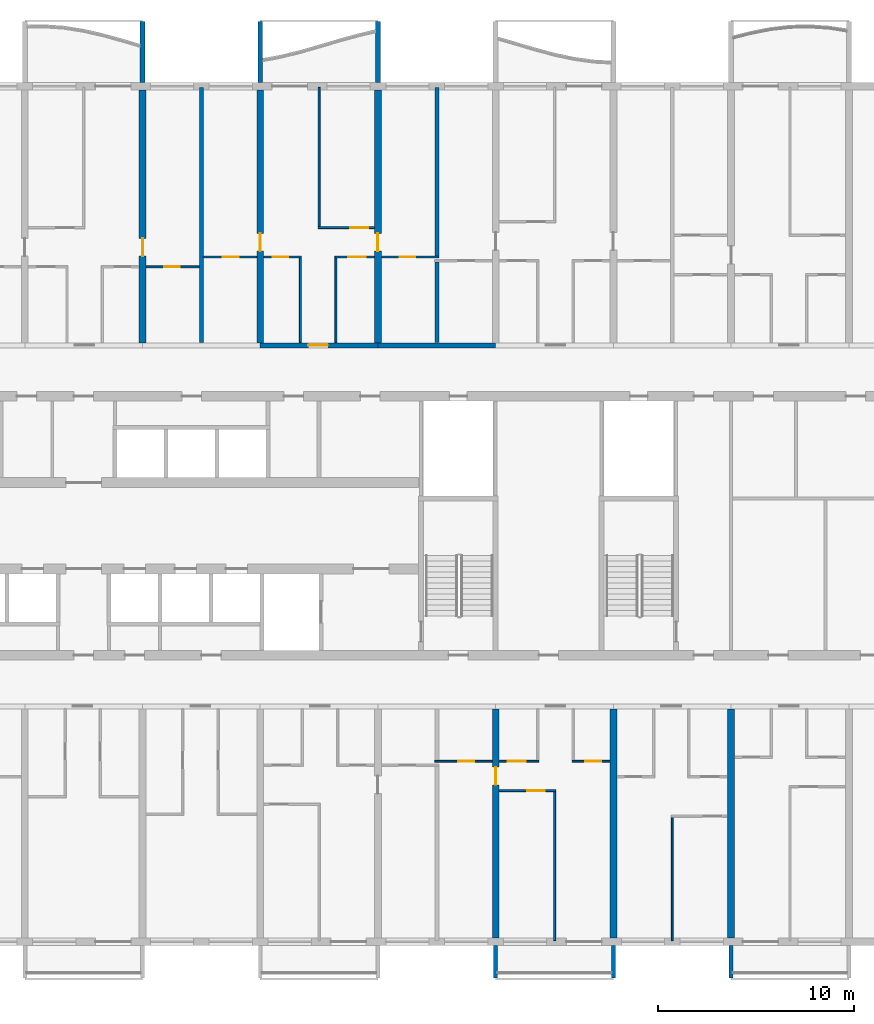
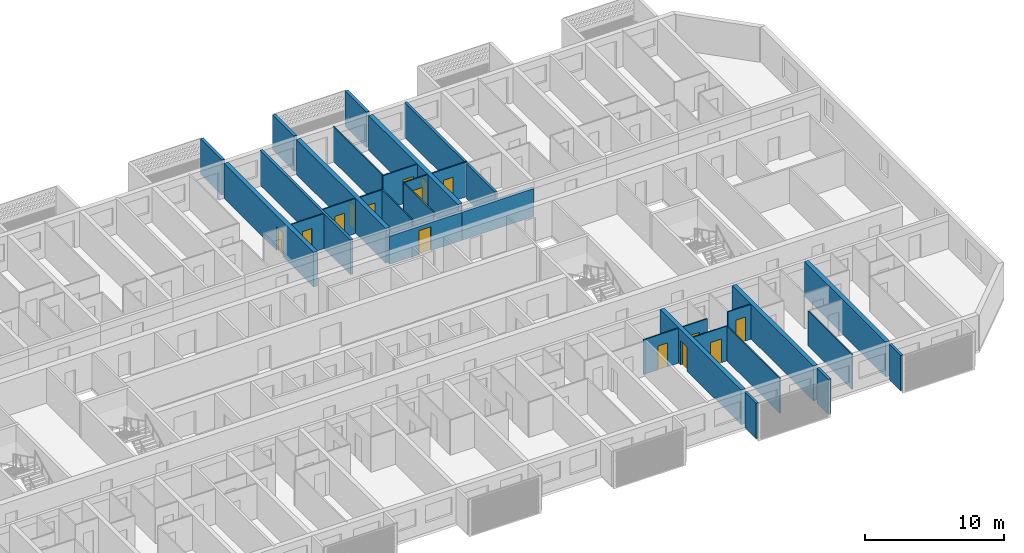
# One storey, part 13 of 31: 32 walls, 15 doors, 15 openings.
"""IFC4 building model written with IfcOpenShell, lengths in metres."""

import ifcopenshell
import ifcopenshell.guid

model = None  # the IFC model being written
_history = None  # IfcOwnerHistory: only IFC2X3 demands one
_inside = {}  # id of a spatial element -> (the spatial element, [elements in it])
_under = {}  # id of a project, library or spatial element -> (it, [spatial elements below it])
_declared = {}  # id of a project -> (the project, [libraries it declares])
_typed = {}  # id of a type object -> (the type object, [elements of that type])
_made_of = {}  # id of a material, layer set ... -> (it, [elements and type objects made of it])


def new_model(schema):
    """Start an empty IFC model of exactly this schema.

    Asked for "IFC4X3", IfcOpenShell would pick the latest addendum, in which some entities
    have other attributes; the version numbers below select the first issue.
    IFC2X3 requires an IfcOwnerHistory on every rooted entity: one is made here for all.
    """
    global model, _history
    if schema == "IFC4X3":
        model = ifcopenshell.file(schema_version=(4, 3, 0, 0))
    else:
        model = ifcopenshell.file(schema=schema)
    _inside.clear()
    _under.clear()
    _declared.clear()
    _typed.clear()
    _made_of.clear()
    _history = None
    if model.schema == "IFC2X3":
        org = make("IfcOrganization", Name="unknown")
        user = make(
            "IfcPersonAndOrganization",
            ThePerson=make("IfcPerson", FamilyName="unknown"),
            TheOrganization=org,
        )
        app = make(
            "IfcApplication",
            ApplicationDeveloper=org,
            Version="unknown",
            ApplicationFullName="unknown",
            ApplicationIdentifier="unknown",
        )
        _history = make(
            "IfcOwnerHistory",
            OwningUser=user,
            OwningApplication=app,
            ChangeAction="ADDED",
            CreationDate=0,
        )
    return model


def make(cls, **values):
    """One entity of the class cls with the attributes given. An attribute that is None is left unset."""
    return model.create_entity(
        cls, **{name: value for name, value in values.items() if value is not None}
    )


def rooted(cls, **values):
    """An entity with a GlobalId (a new one), such as an element, a storey or a relation."""
    return make(cls, GlobalId=ifcopenshell.guid.new(), OwnerHistory=_history, **values)


def si_unit(unit_type, name, prefix=None):
    """IfcSIUnit, for example si_unit("LENGTHUNIT", "METRE", prefix="MILLI")."""
    return make("IfcSIUnit", UnitType=unit_type, Prefix=prefix, Name=name)


def assignment(units):
    """IfcUnitAssignment: the units of a project."""
    return None if units is None else make("IfcUnitAssignment", Units=units)


def point(xyz):
    """IfcCartesianPoint."""
    return None if xyz is None else make("IfcCartesianPoint", Coordinates=xyz)


def direction(xyz):
    """IfcDirection."""
    return None if xyz is None else make("IfcDirection", DirectionRatios=xyz)


def frame(location, z_axis=None, x_axis=None):
    """IfcAxis2Placement3D, a coordinate frame: its origin and axes. An axis left out is left unset."""
    return make(
        "IfcAxis2Placement3D",
        Location=point(location),
        Axis=direction(z_axis),
        RefDirection=direction(x_axis),
    )


def frame_2d(location, x_axis=None):
    """IfcAxis2Placement2D, a coordinate frame in the plane: its origin and x axis."""
    return make(
        "IfcAxis2Placement2D", Location=point(location), RefDirection=direction(x_axis)
    )


def origin():
    """The frame at (0, 0, 0) with its axes left unset."""
    return frame((0.0, 0.0, 0.0))


def place(relative_to, where):
    """IfcLocalPlacement: puts the frame where relative to a parent placement (None: the world)."""
    return make(
        "IfcLocalPlacement", PlacementRelTo=relative_to, RelativePlacement=where
    )


def context(
    kind, dimensions, precision=None, world=None, true_north=None, identifier=None
):
    """IfcGeometricRepresentationContext, for example the 3D "Model" context."""
    return make(
        "IfcGeometricRepresentationContext",
        ContextIdentifier=identifier,
        ContextType=kind,
        CoordinateSpaceDimension=dimensions,
        Precision=precision,
        WorldCoordinateSystem=world,
        TrueNorth=true_north,
    )


def subcontext(parent, identifier, kind, view, scale=None):
    """IfcGeometricRepresentationSubContext, for example "Body" below "Model"."""
    return make(
        "IfcGeometricRepresentationSubContext",
        ContextIdentifier=identifier,
        ContextType=kind,
        ParentContext=parent,
        TargetScale=scale,
        TargetView=view,
    )


def project(units=None, contexts=None):
    """IfcProject with its units and contexts."""
    return rooted(
        "IfcProject",
        Name="project",
        RepresentationContexts=contexts,
        UnitsInContext=assignment(units),
    )


def spatial(cls, under=None, at=None, **own):
    """A site, building, storey or space (cls), placed at a placement, below another one or the project."""
    s = rooted(cls, ObjectPlacement=at, **own)
    if under is not None:
        _under.setdefault(under.id(), (under, []))[1].append(s)
    return s


def polyline(points):
    """IfcPolyline through the points."""
    return make("IfcPolyline", Points=[point(p) for p in points])


def profile(cls, at=None, kind="AREA", **sizes):
    """A parametric profile (cls). Its sizes go by their IFC names, for example OverallWidth=200.0."""
    return make(cls, ProfileType=kind, Position=at, **sizes)


def rectangle(**sizes):
    """IfcRectangleProfileDef."""
    return profile("IfcRectangleProfileDef", **sizes)


def outline(outer, holes=None, kind="AREA"):
    """IfcArbitraryClosedProfileDef: a profile drawn as a closed curve; with holes, ...WithVoids."""
    if holes is None:
        return make("IfcArbitraryClosedProfileDef", ProfileType=kind, OuterCurve=outer)
    return make(
        "IfcArbitraryProfileDefWithVoids",
        ProfileType=kind,
        OuterCurve=outer,
        InnerCurves=holes,
    )


def extrude(swept, where, along, depth):
    """IfcExtrudedAreaSolid: the profile swept, set in the frame where, extruded along a direction by depth."""
    return make(
        "IfcExtrudedAreaSolid",
        SweptArea=swept,
        Position=where,
        ExtrudedDirection=direction(along),
        Depth=depth,
    )


def shape(context_of_items, identifier, shape_type, items):
    """IfcShapeRepresentation: the items that make up one representation, for example the "Body"."""
    return make(
        "IfcShapeRepresentation",
        ContextOfItems=context_of_items,
        RepresentationIdentifier=identifier,
        RepresentationType=shape_type,
        Items=items,
    )


def source(mapping_origin, context_of_items, identifier, shape_type, items):
    """IfcRepresentationMap: a shape defined once, which mapped items show again and again."""
    return make(
        "IfcRepresentationMap",
        MappingOrigin=mapping_origin,
        MappedRepresentation=shape(context_of_items, identifier, shape_type, items),
    )


def transform(
    local_origin,
    x_axis=None,
    y_axis=None,
    z_axis=None,
    scale=None,
    scale2=None,
    scale3=None,
    uniform=True,
):
    """IfcCartesianTransformationOperator3D, or its non-uniform kind. x_axis, y_axis, z_axis: its Axis1, 2, 3."""
    if uniform:
        return make(
            "IfcCartesianTransformationOperator3D",
            Axis1=direction(x_axis),
            Axis2=direction(y_axis),
            LocalOrigin=point(local_origin),
            Scale=scale,
            Axis3=direction(z_axis),
        )
    return make(
        "IfcCartesianTransformationOperator3DnonUniform",
        Axis1=direction(x_axis),
        Axis2=direction(y_axis),
        LocalOrigin=point(local_origin),
        Scale=scale,
        Axis3=direction(z_axis),
        Scale2=scale2,
        Scale3=scale3,
    )


def mapped(mapping_source, mapping_target):
    """IfcMappedItem: shows the shape of a source again, moved by a transform."""
    return make(
        "IfcMappedItem", MappingSource=mapping_source, MappingTarget=mapping_target
    )


def material(Name=None, Category=None):
    """IfcMaterial."""
    return make("IfcMaterial", Name=Name, Category=Category)


def layer(
    of_material, thickness, ventilated=None, Name=None, Category=None, Priority=None
):
    """IfcMaterialLayer: one layer of a wall or slab, of a material (None: an air gap)."""
    return make(
        "IfcMaterialLayer",
        Material=of_material,
        LayerThickness=thickness,
        IsVentilated=ventilated,
        Name=Name,
        Category=Category,
        Priority=Priority,
    )


def layer_set(layers, Name=None):
    """IfcMaterialLayerSet."""
    return make("IfcMaterialLayerSet", MaterialLayers=layers, LayerSetName=Name)


def made_of(thing, what):
    """Note that an element or type object is made of a material, layer set ...; save() writes the relation."""
    if what is not None:
        _made_of.setdefault(what.id(), (what, []))[1].append(thing)
    return thing


def type_object(cls, material=None, **own):
    """A type object (cls), such as IfcWallType, which elements share."""
    return made_of(rooted(cls, **own), material)


def element(
    cls,
    number,
    at=None,
    inside=None,
    cuts=None,
    type_object=None,
    material=None,
    context=None,
    identifier="Body",
    shape_type=None,
    held_by="IfcProductDefinitionShape",
    body=None,
    shapes=None,
    **own,
):
    """One element of the class cls, such as IfcWall. Its Tag is "e" and its number.

    at: its placement. inside: the storey or other place that contains it. cuts: it is an
    opening in that element (IfcRelVoidsElement). A single representation is given by context,
    identifier, shape_type and body (its items); several are given by shapes. held_by: the class
    of the entity that holds the representations. save() writes the other relations.
    """
    e = rooted(cls, Tag="e%d" % number, ObjectPlacement=at, **own)
    if body is not None:
        shapes = [shape(context, identifier, shape_type, body)]
    if shapes is not None:
        e.Representation = make(held_by, Representations=shapes)
    if inside is not None:
        _inside.setdefault(inside.id(), (inside, []))[1].append(e)
    if cuts is not None:
        rooted(
            "IfcRelVoidsElement", RelatingBuildingElement=cuts, RelatedOpeningElement=e
        )
    if type_object is not None:
        _typed.setdefault(type_object.id(), (type_object, []))[1].append(e)
    return made_of(e, material)


def fill(opening, filler):
    """IfcRelFillsElement: the door or window that sits in an opening."""
    return rooted(
        "IfcRelFillsElement",
        RelatingOpeningElement=opening,
        RelatedBuildingElement=filler,
    )


def aggregate(whole, parts):
    """IfcRelAggregates: a whole, such as a stair, and the parts it consists of."""
    return rooted("IfcRelAggregates", RelatingObject=whole, RelatedObjects=parts)


def save(model, path):
    """Write the relations noted so far, then the file.

    IfcRelAggregates (storeys below a building ...), IfcRelContainedInSpatialStructure (elements
    in a storey), IfcRelDefinesByType, IfcRelAssociatesMaterial and IfcRelDeclares: one each for
    every whole, place, type object, material and project.
    """
    for whole, parts in _under.values():
        aggregate(whole, parts)
    for where, things in _inside.values():
        rooted(
            "IfcRelContainedInSpatialStructure",
            RelatedElements=things,
            RelatingStructure=where,
        )
    for kind, things in _typed.values():
        rooted("IfcRelDefinesByType", RelatedObjects=things, RelatingType=kind)
    for what, things in _made_of.values():
        rooted("IfcRelAssociatesMaterial", RelatedObjects=things, RelatingMaterial=what)
    for by, libraries in _declared.values():
        rooted("IfcRelDeclares", RelatingContext=by, RelatedDefinitions=libraries)
    model.write(path)


model = new_model("IFC4")

# Units and contexts
model_context = context("Model", 3, precision=1e-05, world=origin(), true_north=direction((0.0, 1.0)))
body_context = subcontext(model_context, "Body", "Model", "MODEL_VIEW")
ifc_project = project(units=[si_unit("LENGTHUNIT", "METRE"), si_unit("AREAUNIT", "SQUARE_METRE"), si_unit("VOLUMEUNIT", "CUBIC_METRE"), si_unit("PLANEANGLEUNIT", "RADIAN"), si_unit("MASSUNIT", "GRAM", prefix="KILO")], contexts=[model_context])

# Site, building, storey
site_placement = place(None, origin())
site = spatial("IfcSite", under=ifc_project, at=site_placement, CompositionType="ELEMENT")
building_placement = place(site_placement, origin())
building = spatial("IfcBuilding", under=site, at=building_placement, Name="Poui Terraces", CompositionType="ELEMENT")
storey_placement = place(building_placement, frame((0.0, 0.0, 82.800048828125)))
storey = spatial("IfcBuildingStorey", under=building, at=storey_placement, Name="L22", CompositionType="ELEMENT", Elevation=82.800048828125)

# Wall, opening, door
ifc_material_1 = material(Name="Concrete 65 MPa", Category="concrete")
ifc_layer_1 = layer(ifc_material_1, 0.25)
ifc_layer_set_1 = layer_set([ifc_layer_1], Name="Concrete 65 MPa")
wall_type_1 = type_object("IfcWallType", Name="CORRIDOR WALL 250 65MPa", PredefinedType="SHEAR", material=ifc_layer_set_1)
wall_1_placement = place(storey_placement, frame((60.0, 30.39990234375, 0.0), z_axis=(0.0, 0.0, 1.0), x_axis=(1.0, 0.0, 0.0)))
wall_1 = element("IfcWall", 1, at=wall_1_placement, inside=storey, type_object=wall_type_1, Name="CORRIDOR WALL LINE E BAY 10", PredefinedType="SHEAR", context=body_context, shape_type="SweptSolid", body=[
    extrude(rectangle(XDim=6.0, YDim=0.25, at=frame_2d((3.0, 0.0))), origin(), (0.0, 0.0, 1.0), 2.4599609375),
])
opening_1_placement = place(wall_1_placement, frame((2.449951171875, 0.0, 0.0)))
opening_1 = element("IfcOpeningElement", 2, at=opening_1_placement, cuts=wall_1, Name="Opening FD30S", PredefinedType="OPENING", context=body_context, shape_type="SweptSolid", body=[
    extrude(rectangle(XDim=1.0, YDim=2.10009765625, at=frame_2d((0.5, 1.050048828125))), frame((0.0, 0.135009765625, 0.0), z_axis=(0.0, -1.0, 0.0), x_axis=(1.0, 0.0, 0.0)), (0.0, 0.0, 1.0), 0.27001953125),
])
ifc_material_2 = material(Name="Steel fire door", Category="steel")
door_type_1 = type_object("IfcDoorType", Name="FLAT ENTRANCE DOOR 1000 X 2100", OperationType="NOTDEFINED", PredefinedType="DOOR", material=ifc_material_2)
door_1_placement = place(opening_1_placement, origin())
door_1 = element("IfcDoor", 3, at=door_1_placement, inside=storey, type_object=door_type_1, Name="FLAT ENTRANCE DOOR 065", OperationType="SINGLE_SWING_LEFT", OverallHeight=2.10009765625, OverallWidth=1.0, PredefinedType="DOOR", context=body_context, shape_type="SweptSolid", body=[
    extrude(rectangle(XDim=1.0, YDim=2.10009765625, at=frame_2d((0.5, 1.050048828125))), frame((0.0, 0.02490234375, 0.0), z_axis=(0.0, -1.0, 0.0), x_axis=(1.0, 0.0, 0.0)), (0.0, 0.0, 1.0), 0.050048828125),
])
fill(opening_1, door_1)

# Wall
wall_2_placement = place(storey_placement, frame((66.0, 30.39990234375, 0.0), z_axis=(0.0, 0.0, 1.0), x_axis=(1.0, 0.0, 0.0)))
element("IfcWall", 4, at=wall_2_placement, inside=storey, type_object=wall_type_1, Name="CORRIDOR WALL LINE E BAY 11", PredefinedType="SHEAR", context=body_context, shape_type="SweptSolid", body=[
    extrude(rectangle(XDim=6.0, YDim=0.25, at=frame_2d((3.0, 0.0))), origin(), (0.0, 0.0, 1.0), 2.4599609375),
])

# Wall, opening, door
ifc_layer_2 = layer(ifc_material_1, 0.35009765625)
ifc_layer_set_2 = layer_set([ifc_layer_2], Name="Concrete 65 MPa")
wall_type_2 = type_object("IfcWallType", Name="CROSS WALL 350 65MPa", PredefinedType="SHEAR", material=ifc_layer_set_2)
wall_3_placement = place(storey_placement, frame((54.0, 30.52490234375, 0.0), z_axis=(0.0, 0.0, 1.0), x_axis=(0.0, 1.0, 0.0)))
wall_3 = element("IfcWall", 5, at=wall_3_placement, inside=storey, type_object=wall_type_2, Name="CROSS WALL LINE 10 NORTH", PredefinedType="SHEAR", context=body_context, shape_type="SweptSolid", body=[
    extrude(rectangle(XDim=12.875, YDim=0.35009765625, at=frame_2d((6.4375, 0.0))), origin(), (0.0, 0.0, 1.0), 3.06005859375),
])
opening_2_placement = place(wall_3_placement, frame((4.425048828125, 0.0, 0.0)))
opening_2 = element("IfcOpeningElement", 6, at=opening_2_placement, cuts=wall_3, Name="Opening D90", PredefinedType="OPENING", context=body_context, shape_type="SweptSolid", body=[
    extrude(rectangle(XDim=0.89990234375, YDim=2.10009765625, at=frame_2d((0.449951171875, 1.050048828125))), frame((0.0, 0.18505859375, 0.0), z_axis=(0.0, -1.0, 0.0), x_axis=(1.0, 0.0, 0.0)), (0.0, 0.0, 1.0), 0.3701171875),
])
ifc_material_3 = material(Name="Solid core timber door", Category="wood")
door_type_2 = type_object("IfcDoorType", Name="INTERNAL DOOR 900 X 2100", OperationType="NOTDEFINED", PredefinedType="DOOR", material=ifc_material_3)
door_2_placement = place(opening_2_placement, frame((0.89990234375, 0.0, 0.0), z_axis=(0.0, 0.0, 1.0), x_axis=(-1.0, 0.0, 0.0)))
door_2 = element("IfcDoor", 7, at=door_2_placement, inside=storey, type_object=door_type_2, Name="INTERNAL DOOR 060", OperationType="SINGLE_SWING_RIGHT", OverallHeight=2.10009765625, OverallWidth=0.89990234375, PredefinedType="DOOR", context=body_context, shape_type="SweptSolid", body=[
    extrude(rectangle(XDim=0.89990234375, YDim=2.10009765625, at=frame_2d((0.449951171875, 1.050048828125))), frame((0.0, 0.02490234375, 0.0), z_axis=(0.0, -1.0, 0.0), x_axis=(1.0, 0.0, 0.0)), (0.0, 0.0, 1.0), 0.050048828125),
])
fill(opening_2, door_2)

wall_4_placement = place(storey_placement, frame((60.0, 30.52490234375, 0.0), z_axis=(0.0, 0.0, 1.0), x_axis=(0.0, 1.0, 0.0)))
wall_4 = element("IfcWall", 8, at=wall_4_placement, inside=storey, type_object=wall_type_2, Name="CROSS WALL LINE 11 NORTH", PredefinedType="SHEAR", context=body_context, shape_type="SweptSolid", body=[
    extrude(rectangle(XDim=12.875, YDim=0.35009765625, at=frame_2d((6.4375, 0.0))), origin(), (0.0, 0.0, 1.0), 3.06005859375),
])
opening_3_placement = place(wall_4_placement, frame((4.675048828125, 0.0, 0.0)))
opening_3 = element("IfcOpeningElement", 9, at=opening_3_placement, cuts=wall_4, Name="Opening D90", PredefinedType="OPENING", context=body_context, shape_type="SweptSolid", body=[
    extrude(rectangle(XDim=0.89990234375, YDim=2.10009765625, at=frame_2d((0.449951171875, 1.050048828125))), frame((0.0, 0.18505859375, 0.0), z_axis=(0.0, -1.0, 0.0), x_axis=(1.0, 0.0, 0.0)), (0.0, 0.0, 1.0), 0.3701171875),
])
door_3_placement = place(opening_3_placement, origin())
door_3 = element("IfcDoor", 10, at=door_3_placement, inside=storey, type_object=door_type_2, Name="INTERNAL DOOR 063", OperationType="SINGLE_SWING_LEFT", OverallHeight=2.10009765625, OverallWidth=0.89990234375, PredefinedType="DOOR", context=body_context, shape_type="SweptSolid", body=[
    extrude(rectangle(XDim=0.89990234375, YDim=2.10009765625, at=frame_2d((0.449951171875, 1.050048828125))), frame((0.0, 0.02490234375, 0.0), z_axis=(0.0, -1.0, 0.0), x_axis=(1.0, 0.0, 0.0)), (0.0, 0.0, 1.0), 0.050048828125),
])
fill(opening_3, door_3)

wall_5_placement = place(storey_placement, frame((66.0, 30.52490234375, 0.0), z_axis=(0.0, 0.0, 1.0), x_axis=(0.0, 1.0, 0.0)))
wall_5 = element("IfcWall", 11, at=wall_5_placement, inside=storey, type_object=wall_type_2, Name="CROSS WALL LINE 12 NORTH", PredefinedType="SHEAR", context=body_context, shape_type="SweptSolid", body=[
    extrude(rectangle(XDim=12.875, YDim=0.35009765625, at=frame_2d((6.4375, 0.0))), origin(), (0.0, 0.0, 1.0), 3.06005859375),
])
opening_4_placement = place(wall_5_placement, frame((4.675048828125, 0.0, 0.0)))
opening_4 = element("IfcOpeningElement", 12, at=opening_4_placement, cuts=wall_5, Name="Opening D90", PredefinedType="OPENING", context=body_context, shape_type="SweptSolid", body=[
    extrude(rectangle(XDim=0.89990234375, YDim=2.10009765625, at=frame_2d((0.449951171875, 1.050048828125))), frame((0.0, 0.18505859375, 0.0), z_axis=(0.0, -1.0, 0.0), x_axis=(1.0, 0.0, 0.0)), (0.0, 0.0, 1.0), 0.3701171875),
])
door_4_placement = place(opening_4_placement, frame((0.89990234375, 0.0, 0.0), z_axis=(0.0, 0.0, 1.0), x_axis=(-1.0, 0.0, 0.0)))
door_4 = element("IfcDoor", 13, at=door_4_placement, inside=storey, type_object=door_type_2, Name="INTERNAL DOOR 068", OperationType="SINGLE_SWING_RIGHT", OverallHeight=2.10009765625, OverallWidth=0.89990234375, PredefinedType="DOOR", context=body_context, shape_type="SweptSolid", body=[
    extrude(rectangle(XDim=0.89990234375, YDim=2.10009765625, at=frame_2d((0.449951171875, 1.050048828125))), frame((0.0, 0.02490234375, 0.0), z_axis=(0.0, -1.0, 0.0), x_axis=(1.0, 0.0, 0.0)), (0.0, 0.0, 1.0), 0.050048828125),
])
fill(opening_4, door_4)

wall_6_placement = place(storey_placement, frame((72.0, 0.199951171875, 0.0), z_axis=(0.0, 0.0, 1.0), x_axis=(0.0, 1.0, 0.0)))
wall_6 = element("IfcWall", 14, at=wall_6_placement, inside=storey, type_object=wall_type_2, Name="CROSS WALL LINE 13 SOUTH", PredefinedType="SHEAR", context=body_context, shape_type="SweptSolid", body=[
    extrude(rectangle(XDim=11.675048828125, YDim=0.35009765625, at=frame_2d((5.83740234375, 0.0))), origin(), (0.0, 0.0, 1.0), 3.06005859375),
])
opening_5_placement = place(wall_6_placement, frame((7.800048828125, 0.0, 0.0)))
opening_5 = element("IfcOpeningElement", 15, at=opening_5_placement, cuts=wall_6, Name="Opening D90", PredefinedType="OPENING", context=body_context, shape_type="SweptSolid", body=[
    extrude(rectangle(XDim=0.89990234375, YDim=2.10009765625, at=frame_2d((0.449951171875, 1.050048828125))), frame((0.0, 0.18505859375, 0.0), z_axis=(0.0, -1.0, 0.0), x_axis=(1.0, 0.0, 0.0)), (0.0, 0.0, 1.0), 0.3701171875),
])
door_5_placement = place(opening_5_placement, origin())
door_5 = element("IfcDoor", 16, at=door_5_placement, inside=storey, type_object=door_type_2, Name="INTERNAL DOOR 122", OperationType="SINGLE_SWING_RIGHT", OverallHeight=2.10009765625, OverallWidth=0.89990234375, PredefinedType="DOOR", context=body_context, shape_type="SweptSolid", body=[
    extrude(rectangle(XDim=0.89990234375, YDim=2.10009765625, at=frame_2d((0.449951171875, 1.050048828125))), frame((0.0, 0.02490234375, 0.0), z_axis=(0.0, -1.0, 0.0), x_axis=(1.0, 0.0, 0.0)), (0.0, 0.0, 1.0), 0.050048828125),
])
fill(opening_5, door_5)

# Walls
for number, where, z_axis, x_axis, name in (
    (17, (78.0, 0.199951171875, 0.0), (0.0, 0.0, 1.0), (0.0, 1.0, 0.0), "CROSS WALL LINE 14 SOUTH"),
    (18, (84.0, 0.199951171875, 0.0), (0.0, 0.0, 1.0), (0.0, 1.0, 0.0), "CROSS WALL LINE 15 SOUTH"),
):
    element("IfcWall", number, at=place(storey_placement, frame(where, z_axis=z_axis, x_axis=x_axis)), inside=storey, type_object=wall_type_2, Name=name, PredefinedType="SHEAR", context=body_context, shape_type="SweptSolid", body=[
        extrude(rectangle(XDim=11.675048828125, YDim=0.35009765625, at=frame_2d((5.83740234375, 0.0))), origin(), (0.0, 0.0, 1.0), 3.06005859375),
    ])

# Wall, opening, door
ifc_material_4 = material(Name="Plasterboard partition")
ifc_layer_3 = layer(ifc_material_4, 0.10009765625)
ifc_layer_set_3 = layer_set([ifc_layer_3], Name="Plasterboard partition")
wall_type_3 = type_object("IfcWallType", Name="FLAT PARTITION 100", PredefinedType="PARTITIONING", material=ifc_layer_set_3)
wall_7_placement = place(storey_placement, frame((72.18505859375, 7.699951171875, 0.0), z_axis=(0.0, 0.0, 1.0), x_axis=(1.0, 0.0, 0.0)))
wall_7 = element("IfcWall", 19, at=wall_7_placement, inside=storey, type_object=wall_type_3, Name="FLAT PARTITION 100", PredefinedType="PARTITIONING", context=body_context, shape_type="SweptSolid", body=[
    extrude(rectangle(XDim=2.864990234375, YDim=0.10009765625, at=frame_2d((1.4326171875, 0.0))), origin(), (0.0, 0.0, 1.0), 3.06005859375),
])
opening_6_placement = place(wall_7_placement, frame((1.4150390625, 0.0, 0.0)))
opening_6 = element("IfcOpeningElement", 20, at=opening_6_placement, cuts=wall_7, Name="Opening D90", PredefinedType="OPENING", context=body_context, shape_type="SweptSolid", body=[
    extrude(rectangle(XDim=0.89990234375, YDim=2.10009765625, at=frame_2d((0.449951171875, 1.050048828125))), frame((0.0, 0.06005859375, 0.0), z_axis=(0.0, -1.0, 0.0), x_axis=(1.0, 0.0, 0.0)), (0.0, 0.0, 1.0), 0.1201171875),
])
door_6_placement = place(opening_6_placement, origin())
door_6 = element("IfcDoor", 21, at=door_6_placement, inside=storey, type_object=door_type_2, Name="INTERNAL DOOR 124", OperationType="SINGLE_SWING_LEFT", OverallHeight=2.10009765625, OverallWidth=0.89990234375, PredefinedType="DOOR", context=body_context, shape_type="SweptSolid", body=[
    extrude(rectangle(XDim=0.89990234375, YDim=2.10009765625, at=frame_2d((0.449951171875, 1.050048828125))), frame((0.0, 0.02490234375, 0.0), z_axis=(0.0, -1.0, 0.0), x_axis=(1.0, 0.0, 0.0)), (0.0, 0.0, 1.0), 0.050048828125),
])
fill(opening_6, door_6)

wall_8_placement = place(storey_placement, frame((68.89990234375, 9.199951171875, 0.0), z_axis=(0.0, 0.0, 1.0), x_axis=(1.0, 0.0, 0.0)))
wall_8 = element("IfcWall", 22, at=wall_8_placement, inside=storey, type_object=wall_type_3, Name="FLAT PARTITION 100", PredefinedType="PARTITIONING", context=body_context, shape_type="SweptSolid", body=[
    extrude(rectangle(XDim=2.9150390625, YDim=0.10009765625, at=frame_2d((1.45751953125, 0.0))), origin(), (0.0, 0.0, 1.0), 3.06005859375),
])
opening_7_placement = place(wall_8_placement, frame((1.199951171875, 0.0, 0.0)))
opening_7 = element("IfcOpeningElement", 23, at=opening_7_placement, cuts=wall_8, Name="Opening D80", PredefinedType="OPENING", context=body_context, shape_type="SweptSolid", body=[
    extrude(rectangle(XDim=0.800048828125, YDim=2.10009765625, at=frame_2d((0.39990234375, 1.050048828125))), frame((0.0, 0.06005859375, 0.0), z_axis=(0.0, -1.0, 0.0), x_axis=(1.0, 0.0, 0.0)), (0.0, 0.0, 1.0), 0.1201171875),
])
door_type_3 = type_object("IfcDoorType", Name="BATHROOM, LAUNDRY AND STORE DOOR 800 X 2100", OperationType="NOTDEFINED", PredefinedType="DOOR", material=ifc_material_3)
door_7_placement = place(opening_7_placement, origin())
door_7 = element("IfcDoor", 24, at=door_7_placement, inside=storey, type_object=door_type_3, Name="BATHROOM, LAUNDRY AND STORE DOOR 121", OperationType="SINGLE_SWING_RIGHT", OverallHeight=2.10009765625, OverallWidth=0.800048828125, PredefinedType="DOOR", context=body_context, shape_type="SweptSolid", body=[
    extrude(rectangle(XDim=0.800048828125, YDim=2.10009765625, at=frame_2d((0.39990234375, 1.050048828125))), frame((0.0, 0.02490234375, 0.0), z_axis=(0.0, -1.0, 0.0), x_axis=(1.0, 0.0, 0.0)), (0.0, 0.0, 1.0), 0.050048828125),
])
fill(opening_7, door_7)

wall_9_placement = place(storey_placement, frame((72.18505859375, 9.199951171875, 0.0), z_axis=(0.0, 0.0, 1.0), x_axis=(1.0, 0.0, 0.0)))
wall_9 = element("IfcWall", 25, at=wall_9_placement, inside=storey, type_object=wall_type_3, Name="FLAT PARTITION 100", PredefinedType="PARTITIONING", context=body_context, shape_type="SweptSolid", body=[
    extrude(rectangle(XDim=2.014892578125, YDim=0.10009765625, at=frame_2d((1.00732421875, 0.0))), origin(), (0.0, 0.0, 1.0), 3.06005859375),
])
opening_8_placement = place(wall_9_placement, frame((0.43994140625, 0.0, 0.0)))
opening_8 = element("IfcOpeningElement", 26, at=opening_8_placement, cuts=wall_9, Name="Opening D90", PredefinedType="OPENING", context=body_context, shape_type="SweptSolid", body=[
    extrude(rectangle(XDim=0.89990234375, YDim=2.10009765625, at=frame_2d((0.449951171875, 1.050048828125))), frame((0.0, 0.06005859375, 0.0), z_axis=(0.0, -1.0, 0.0), x_axis=(1.0, 0.0, 0.0)), (0.0, 0.0, 1.0), 0.1201171875),
])
door_8_placement = place(opening_8_placement, origin())
door_8 = element("IfcDoor", 27, at=door_8_placement, inside=storey, type_object=door_type_2, Name="INTERNAL DOOR 123", OperationType="SINGLE_SWING_RIGHT", OverallHeight=2.10009765625, OverallWidth=0.89990234375, PredefinedType="DOOR", context=body_context, shape_type="SweptSolid", body=[
    extrude(rectangle(XDim=0.89990234375, YDim=2.10009765625, at=frame_2d((0.449951171875, 1.050048828125))), frame((0.0, 0.02490234375, 0.0), z_axis=(0.0, -1.0, 0.0), x_axis=(1.0, 0.0, 0.0)), (0.0, 0.0, 1.0), 0.050048828125),
])
fill(opening_8, door_8)

wall_10_placement = place(storey_placement, frame((75.89990234375, 9.199951171875, 0.0), z_axis=(0.0, 0.0, 1.0), x_axis=(1.0, 0.0, 0.0)))
wall_10 = element("IfcWall", 28, at=wall_10_placement, inside=storey, type_object=wall_type_3, Name="FLAT PARTITION 100", PredefinedType="PARTITIONING", context=body_context, shape_type="SweptSolid", body=[
    extrude(rectangle(XDim=1.9150390625, YDim=0.10009765625, at=frame_2d((0.95751953125, 0.0))), origin(), (0.0, 0.0, 1.0), 3.06005859375),
])
opening_9_placement = place(wall_10_placement, frame((0.675048828125, 0.0, 0.0)))
opening_9 = element("IfcOpeningElement", 29, at=opening_9_placement, cuts=wall_10, Name="Opening D80", PredefinedType="OPENING", context=body_context, shape_type="SweptSolid", body=[
    extrude(rectangle(XDim=0.800048828125, YDim=2.10009765625, at=frame_2d((0.39990234375, 1.050048828125))), frame((0.0, 0.06005859375, 0.0), z_axis=(0.0, -1.0, 0.0), x_axis=(1.0, 0.0, 0.0)), (0.0, 0.0, 1.0), 0.1201171875),
])
door_9_placement = place(opening_9_placement, origin())
door_9 = element("IfcDoor", 30, at=door_9_placement, inside=storey, type_object=door_type_3, Name="BATHROOM, LAUNDRY AND STORE DOOR 126", OperationType="SINGLE_SWING_LEFT", OverallHeight=2.10009765625, OverallWidth=0.800048828125, PredefinedType="DOOR", context=body_context, shape_type="SweptSolid", body=[
    extrude(rectangle(XDim=0.800048828125, YDim=2.10009765625, at=frame_2d((0.39990234375, 1.050048828125))), frame((0.0, 0.02490234375, 0.0), z_axis=(0.0, -1.0, 0.0), x_axis=(1.0, 0.0, 0.0)), (0.0, 0.0, 1.0), 0.050048828125),
])
fill(opening_9, door_9)

wall_11_placement = place(storey_placement, frame((54.18505859375, 34.39990234375, 0.0), z_axis=(0.0, 0.0, 1.0), x_axis=(1.0, 0.0, 0.0)))
wall_11 = element("IfcWall", 31, at=wall_11_placement, inside=storey, type_object=wall_type_3, Name="FLAT PARTITION 100", PredefinedType="PARTITIONING", context=body_context, shape_type="SweptSolid", body=[
    extrude(rectangle(XDim=2.71484375, YDim=0.10009765625, at=frame_2d((1.357421875, 0.0))), origin(), (0.0, 0.0, 1.0), 3.06005859375),
])
opening_10_placement = place(wall_11_placement, frame((0.9150390625, 0.0, 0.0)))
opening_10 = element("IfcOpeningElement", 32, at=opening_10_placement, cuts=wall_11, Name="Opening D80", PredefinedType="OPENING", context=body_context, shape_type="SweptSolid", body=[
    extrude(rectangle(XDim=0.800048828125, YDim=2.10009765625, at=frame_2d((0.39990234375, 1.050048828125))), frame((0.0, 0.06005859375, 0.0), z_axis=(0.0, -1.0, 0.0), x_axis=(1.0, 0.0, 0.0)), (0.0, 0.0, 1.0), 0.1201171875),
])
door_10_placement = place(opening_10_placement, frame((0.800048828125, 0.0, 0.0), z_axis=(0.0, 0.0, 1.0), x_axis=(-1.0, 0.0, 0.0)))
door_10 = element("IfcDoor", 33, at=door_10_placement, inside=storey, type_object=door_type_3, Name="BATHROOM, LAUNDRY AND STORE DOOR 054", OperationType="SINGLE_SWING_LEFT", OverallHeight=2.10009765625, OverallWidth=0.800048828125, PredefinedType="DOOR", context=body_context, shape_type="SweptSolid", body=[
    extrude(rectangle(XDim=0.800048828125, YDim=2.10009765625, at=frame_2d((0.39990234375, 1.050048828125))), frame((0.0, 0.02490234375, 0.0), z_axis=(0.0, -1.0, 0.0), x_axis=(1.0, 0.0, 0.0)), (0.0, 0.0, 1.0), 0.050048828125),
])
fill(opening_10, door_10)

wall_12_placement = place(storey_placement, frame((57.10009765625, 34.89990234375, 0.0), z_axis=(0.0, 0.0, 1.0), x_axis=(1.0, 0.0, 0.0)))
wall_12 = element("IfcWall", 34, at=wall_12_placement, inside=storey, type_object=wall_type_3, Name="FLAT PARTITION 100", PredefinedType="PARTITIONING", context=body_context, shape_type="SweptSolid", body=[
    extrude(rectangle(XDim=2.71484375, YDim=0.10009765625, at=frame_2d((1.357421875, 0.0))), origin(), (0.0, 0.0, 1.0), 3.06005859375),
])
opening_11_placement = place(wall_12_placement, frame((1.0, 0.0, 0.0)))
opening_11 = element("IfcOpeningElement", 35, at=opening_11_placement, cuts=wall_12, Name="Opening D80", PredefinedType="OPENING", context=body_context, shape_type="SweptSolid", body=[
    extrude(rectangle(XDim=0.800048828125, YDim=2.10009765625, at=frame_2d((0.39990234375, 1.050048828125))), frame((0.0, 0.06005859375, 0.0), z_axis=(0.0, -1.0, 0.0), x_axis=(1.0, 0.0, 0.0)), (0.0, 0.0, 1.0), 0.1201171875),
])
door_11_placement = place(opening_11_placement, frame((0.800048828125, 0.0, 0.0), z_axis=(0.0, 0.0, 1.0), x_axis=(-1.0, 0.0, 0.0)))
door_11 = element("IfcDoor", 36, at=door_11_placement, inside=storey, type_object=door_type_3, Name="BATHROOM, LAUNDRY AND STORE DOOR 061", OperationType="SINGLE_SWING_RIGHT", OverallHeight=2.10009765625, OverallWidth=0.800048828125, PredefinedType="DOOR", context=body_context, shape_type="SweptSolid", body=[
    extrude(rectangle(XDim=0.800048828125, YDim=2.10009765625, at=frame_2d((0.39990234375, 1.050048828125))), frame((0.0, 0.02490234375, 0.0), z_axis=(0.0, -1.0, 0.0), x_axis=(1.0, 0.0, 0.0)), (0.0, 0.0, 1.0), 0.050048828125),
])
fill(opening_11, door_11)

wall_13_placement = place(storey_placement, frame((60.18505859375, 34.89990234375, 0.0), z_axis=(0.0, 0.0, 1.0), x_axis=(1.0, 0.0, 0.0)))
wall_13 = element("IfcWall", 37, at=wall_13_placement, inside=storey, type_object=wall_type_3, Name="FLAT PARTITION 100", PredefinedType="PARTITIONING", context=body_context, shape_type="SweptSolid", body=[
    extrude(rectangle(XDim=1.9150390625, YDim=0.10009765625, at=frame_2d((0.95751953125, 0.0))), origin(), (0.0, 0.0, 1.0), 3.06005859375),
])
opening_12_placement = place(wall_13_placement, frame((0.43994140625, 0.0, 0.0)))
opening_12 = element("IfcOpeningElement", 38, at=opening_12_placement, cuts=wall_13, Name="Opening D80", PredefinedType="OPENING", context=body_context, shape_type="SweptSolid", body=[
    extrude(rectangle(XDim=0.800048828125, YDim=2.10009765625, at=frame_2d((0.39990234375, 1.050048828125))), frame((0.0, 0.06005859375, 0.0), z_axis=(0.0, -1.0, 0.0), x_axis=(1.0, 0.0, 0.0)), (0.0, 0.0, 1.0), 0.1201171875),
])
door_12_placement = place(opening_12_placement, frame((0.800048828125, 0.0, 0.0), z_axis=(0.0, 0.0, 1.0), x_axis=(-1.0, 0.0, 0.0)))
door_12 = element("IfcDoor", 39, at=door_12_placement, inside=storey, type_object=door_type_3, Name="BATHROOM, LAUNDRY AND STORE DOOR 064", OperationType="SINGLE_SWING_RIGHT", OverallHeight=2.10009765625, OverallWidth=0.800048828125, PredefinedType="DOOR", context=body_context, shape_type="SweptSolid", body=[
    extrude(rectangle(XDim=0.800048828125, YDim=2.10009765625, at=frame_2d((0.39990234375, 1.050048828125))), frame((0.0, 0.02490234375, 0.0), z_axis=(0.0, -1.0, 0.0), x_axis=(1.0, 0.0, 0.0)), (0.0, 0.0, 1.0), 0.050048828125),
])
fill(opening_12, door_12)

wall_14_placement = place(storey_placement, frame((63.800048828125, 34.89990234375, 0.0), z_axis=(0.0, 0.0, 1.0), x_axis=(1.0, 0.0, 0.0)))
wall_14 = element("IfcWall", 40, at=wall_14_placement, inside=storey, type_object=wall_type_3, Name="FLAT PARTITION 100", PredefinedType="PARTITIONING", context=body_context, shape_type="SweptSolid", body=[
    extrude(rectangle(XDim=2.014892578125, YDim=0.10009765625, at=frame_2d((1.00732421875, 0.0))), origin(), (0.0, 0.0, 1.0), 3.06005859375),
])
opening_13_placement = place(wall_14_placement, frame((0.675048828125, 0.0, 0.0)))
opening_13 = element("IfcOpeningElement", 41, at=opening_13_placement, cuts=wall_14, Name="Opening D90", PredefinedType="OPENING", context=body_context, shape_type="SweptSolid", body=[
    extrude(rectangle(XDim=0.89990234375, YDim=2.10009765625, at=frame_2d((0.449951171875, 1.050048828125))), frame((0.0, 0.06005859375, 0.0), z_axis=(0.0, -1.0, 0.0), x_axis=(1.0, 0.0, 0.0)), (0.0, 0.0, 1.0), 0.1201171875),
])
door_13_placement = place(opening_13_placement, frame((0.89990234375, 0.0, 0.0), z_axis=(0.0, 0.0, 1.0), x_axis=(-1.0, 0.0, 0.0)))
door_13 = element("IfcDoor", 42, at=door_13_placement, inside=storey, type_object=door_type_2, Name="INTERNAL DOOR 066", OperationType="SINGLE_SWING_LEFT", OverallHeight=2.10009765625, OverallWidth=0.89990234375, PredefinedType="DOOR", context=body_context, shape_type="SweptSolid", body=[
    extrude(rectangle(XDim=0.89990234375, YDim=2.10009765625, at=frame_2d((0.449951171875, 1.050048828125))), frame((0.0, 0.02490234375, 0.0), z_axis=(0.0, -1.0, 0.0), x_axis=(1.0, 0.0, 0.0)), (0.0, 0.0, 1.0), 0.050048828125),
])
fill(opening_13, door_13)

wall_15_placement = place(storey_placement, frame((66.18505859375, 34.89990234375, 0.0), z_axis=(0.0, 0.0, 1.0), x_axis=(1.0, 0.0, 0.0)))
wall_15 = element("IfcWall", 43, at=wall_15_placement, inside=storey, type_object=wall_type_3, Name="FLAT PARTITION 100", PredefinedType="PARTITIONING", context=body_context, shape_type="SweptSolid", body=[
    extrude(rectangle(XDim=2.9150390625, YDim=0.10009765625, at=frame_2d((1.45751953125, 0.0))), origin(), (0.0, 0.0, 1.0), 3.06005859375),
])
opening_14_placement = place(wall_15_placement, frame((0.9150390625, 0.0, 0.0)))
opening_14 = element("IfcOpeningElement", 44, at=opening_14_placement, cuts=wall_15, Name="Opening D80", PredefinedType="OPENING", context=body_context, shape_type="SweptSolid", body=[
    extrude(rectangle(XDim=0.800048828125, YDim=2.10009765625, at=frame_2d((0.39990234375, 1.050048828125))), frame((0.0, 0.06005859375, 0.0), z_axis=(0.0, -1.0, 0.0), x_axis=(1.0, 0.0, 0.0)), (0.0, 0.0, 1.0), 0.1201171875),
])
door_14_placement = place(opening_14_placement, frame((0.800048828125, 0.0, 0.0), z_axis=(0.0, 0.0, 1.0), x_axis=(-1.0, 0.0, 0.0)))
door_14 = element("IfcDoor", 45, at=door_14_placement, inside=storey, type_object=door_type_3, Name="BATHROOM, LAUNDRY AND STORE DOOR 062", OperationType="SINGLE_SWING_RIGHT", OverallHeight=2.10009765625, OverallWidth=0.800048828125, PredefinedType="DOOR", context=body_context, shape_type="SweptSolid", body=[
    extrude(rectangle(XDim=0.800048828125, YDim=2.10009765625, at=frame_2d((0.39990234375, 1.050048828125))), frame((0.0, 0.02490234375, 0.0), z_axis=(0.0, -1.0, 0.0), x_axis=(1.0, 0.0, 0.0)), (0.0, 0.0, 1.0), 0.050048828125),
])
fill(opening_14, door_14)

wall_16_placement = place(storey_placement, frame((62.949951171875, 36.39990234375, 0.0), z_axis=(0.0, 0.0, 1.0), x_axis=(1.0, 0.0, 0.0)))
wall_16 = element("IfcWall", 46, at=wall_16_placement, inside=storey, type_object=wall_type_3, Name="FLAT PARTITION 100", PredefinedType="PARTITIONING", context=body_context, shape_type="SweptSolid", body=[
    extrude(rectangle(XDim=2.864990234375, YDim=0.10009765625, at=frame_2d((1.4326171875, 0.0))), origin(), (0.0, 0.0, 1.0), 3.06005859375),
])
opening_15_placement = place(wall_16_placement, frame((1.64990234375, 0.0, 0.0)))
opening_15 = element("IfcOpeningElement", 47, at=opening_15_placement, cuts=wall_16, Name="Opening D90", PredefinedType="OPENING", context=body_context, shape_type="SweptSolid", body=[
    extrude(rectangle(XDim=0.89990234375, YDim=2.10009765625, at=frame_2d((0.449951171875, 1.050048828125))), frame((0.0, 0.06005859375, 0.0), z_axis=(0.0, -1.0, 0.0), x_axis=(1.0, 0.0, 0.0)), (0.0, 0.0, 1.0), 0.1201171875),
])
door_15_placement = place(opening_15_placement, frame((0.89990234375, 0.0, 0.0), z_axis=(0.0, 0.0, 1.0), x_axis=(-1.0, 0.0, 0.0)))
door_15 = element("IfcDoor", 48, at=door_15_placement, inside=storey, type_object=door_type_2, Name="INTERNAL DOOR 067", OperationType="SINGLE_SWING_RIGHT", OverallHeight=2.10009765625, OverallWidth=0.89990234375, PredefinedType="DOOR", context=body_context, shape_type="SweptSolid", body=[
    extrude(rectangle(XDim=0.89990234375, YDim=2.10009765625, at=frame_2d((0.449951171875, 1.050048828125))), frame((0.0, 0.02490234375, 0.0), z_axis=(0.0, -1.0, 0.0), x_axis=(1.0, 0.0, 0.0)), (0.0, 0.0, 1.0), 0.050048828125),
])
fill(opening_15, door_15)

# Walls
wall_17_placement = place(storey_placement, frame((62.050048828125, 30.534912109375, 0.0), z_axis=(0.0, 0.0, 1.0), x_axis=(0.0, 1.0, 0.0)))
element("IfcWall", 49, at=wall_17_placement, inside=storey, type_object=wall_type_3, Name="FLAT PARTITION 100", PredefinedType="PARTITIONING", context=body_context, shape_type="SweptSolid", body=[
    extrude(rectangle(XDim=4.315185546875, YDim=0.10009765625, at=frame_2d((2.15771484375, 0.0))), origin(), (0.0, 0.0, 1.0), 3.06005859375),
])
wall_18_placement = place(storey_placement, frame((63.0, 36.449951171875, 0.0), z_axis=(0.0, 0.0, 1.0), x_axis=(0.0, 1.0, 0.0)))
element("IfcWall", 50, at=wall_18_placement, inside=storey, type_object=wall_type_3, Name="FLAT PARTITION 100", PredefinedType="PARTITIONING", context=body_context, shape_type="SweptSolid", body=[
    extrude(rectangle(XDim=7.090087890625, YDim=0.10009765625, at=frame_2d((3.544921875, 0.0))), origin(), (0.0, 0.0, 1.0), 3.06005859375),
])
wall_19_placement = place(storey_placement, frame((63.85009765625, 30.534912109375, 0.0), z_axis=(0.0, 0.0, 1.0), x_axis=(0.0, 1.0, 0.0)))
element("IfcWall", 51, at=wall_19_placement, inside=storey, type_object=wall_type_3, Name="FLAT PARTITION 100", PredefinedType="PARTITIONING", context=body_context, shape_type="SweptSolid", body=[
    extrude(rectangle(XDim=4.315185546875, YDim=0.10009765625, at=frame_2d((2.15771484375, 0.0))), origin(), (0.0, 0.0, 1.0), 3.06005859375),
])
wall_20_placement = place(storey_placement, frame((75.0, 0.06005859375, 0.0), z_axis=(0.0, 0.0, 1.0), x_axis=(0.0, 1.0, 0.0)))
element("IfcWall", 52, at=wall_20_placement, inside=storey, type_object=wall_type_3, Name="FLAT PARTITION 100", PredefinedType="PARTITIONING", context=body_context, shape_type="SweptSolid", body=[
    extrude(rectangle(XDim=7.58984375, YDim=0.10009765625, at=frame_2d((3.794921875, 0.0))), origin(), (0.0, 0.0, 1.0), 3.06005859375),
])
wall_21_placement = place(storey_placement, frame((81.0, 0.06005859375, 0.0), z_axis=(0.0, 0.0, 1.0), x_axis=(0.0, 1.0, 0.0)))
element("IfcWall", 53, at=wall_21_placement, inside=storey, type_object=wall_type_3, Name="FLAT PARTITION 100", PredefinedType="PARTITIONING", context=body_context, shape_type="SweptSolid", body=[
    extrude(rectangle(XDim=6.2900390625, YDim=0.10009765625, at=frame_2d((3.14501953125, 0.0))), origin(), (0.0, 0.0, 1.0), 3.06005859375),
])
ifc_material_5 = material(Name="Fire-rated masonry wall", Category="masonry")
ifc_layer_4 = layer(ifc_material_5, 0.199951171875)
ifc_layer_set_4 = layer_set([ifc_layer_4], Name="Fire-rated masonry wall")
wall_type_4 = type_object("IfcWallType", Name="FLAT PARTY WALL 200", PredefinedType="PARTITIONING", material=ifc_layer_set_4)
wall_22_placement = place(storey_placement, frame((57.0, 30.534912109375, 0.0), z_axis=(0.0, 0.0, 1.0), x_axis=(0.0, 1.0, 0.0)))
element("IfcWall", 54, at=wall_22_placement, inside=storey, type_object=wall_type_4, Name="FLAT PARTY WALL 200", PredefinedType="PARTITIONING", context=body_context, shape_type="SweptSolid", body=[
    extrude(rectangle(XDim=13.005126953125, YDim=0.199951171875, at=frame_2d((6.50244140625, 0.0))), origin(), (0.0, 0.0, 1.0), 3.06005859375),
])
wall_23_placement = place(storey_placement, frame((69.0, 30.534912109375, 0.0), z_axis=(0.0, 0.0, 1.0), x_axis=(0.0, 1.0, 0.0)))
element("IfcWall", 55, at=wall_23_placement, inside=storey, type_object=wall_type_4, Name="FLAT PARTY WALL 200", PredefinedType="PARTITIONING", context=body_context, shape_type="SweptSolid", body=[
    extrude(rectangle(XDim=4.114990234375, YDim=0.199951171875, at=frame_2d((2.0576171875, 0.0))), origin(), (0.0, 0.0, 1.0), 3.06005859375),
])
wall_24_placement = place(storey_placement, frame((69.0, 34.949951171875, 0.0), z_axis=(0.0, 0.0, 1.0), x_axis=(0.0, 1.0, 0.0)))
element("IfcWall", 56, at=wall_24_placement, inside=storey, type_object=wall_type_4, Name="FLAT PARTY WALL 200", PredefinedType="PARTITIONING", context=body_context, shape_type="SweptSolid", body=[
    extrude(rectangle(XDim=8.590087890625, YDim=0.199951171875, at=frame_2d((4.294921875, 0.0))), origin(), (0.0, 0.0, 1.0), 3.06005859375),
])
ifc_material_6 = material(Name="Precast concrete 40 MPa", Category="concrete")
ifc_layer_5 = layer(ifc_material_6, 0.199951171875)
ifc_layer_set_5 = layer_set([ifc_layer_5], Name="Precast concrete 40 MPa")
wall_type_5 = type_object("IfcWallType", Name="REAR FIN 200", PredefinedType="STANDARD", material=ifc_layer_set_5)
shared_shape_1 = source(origin(), body_context, "Body", "SweptSolid", [
    extrude(outline(polyline([(0.0, 0.0), (0.2001953125, 0.0), (0.2001953125, 1.650146484375), (0.0, 1.650146484375), (0.0, 0.0)])), origin(), (0.0, 0.0, 1.0), 3.099853515625),
])
for number, where, name in (
    (57, (71.89990234375, -1.85009765625, 0.0), "REAR FIN"),
    (58, (77.89990234375, -1.85009765625, 0.0), "REAR FIN"),
    (59, (83.89990234375, -1.85009765625, 0.0), "REAR FIN"),
):
    element("IfcWall", number, at=place(storey_placement, frame(where)), inside=storey, type_object=wall_type_5, Name=name, PredefinedType="STANDARD", context=body_context, shape_type="MappedRepresentation", body=[
        mapped(shared_shape_1, transform((0.0, 0.0, 0.0))),
    ])
ifc_layer_6 = layer(ifc_material_6, 0.25)
ifc_layer_set_6 = layer_set([ifc_layer_6], Name="Precast concrete 40 MPa")
wall_type_6 = type_object("IfcWallType", Name="BALCONY FIN 250", PredefinedType="STANDARD", material=ifc_layer_set_6)
shared_shape_2 = source(origin(), body_context, "Body", "SweptSolid", [
    extrude(outline(polyline([(0.0, 0.0), (0.25, 0.0), (0.25, 3.099853515625), (0.0, 3.099853515625), (0.0, 0.0)])), origin(), (0.0, 0.0, 1.0), 3.099853515625),
])
for number, where, name in (
    (60, (53.875, 43.800048828125, 0.0), "BALCONY FIN"),
    (61, (59.875, 43.800048828125, 0.0), "BALCONY FIN"),
    (62, (65.875, 43.800048828125, 0.0), "BALCONY FIN"),
):
    element("IfcWall", number, at=place(storey_placement, frame(where)), inside=storey, type_object=wall_type_6, Name=name, PredefinedType="STANDARD", context=body_context, shape_type="MappedRepresentation", body=[
        mapped(shared_shape_2, transform((0.0, 0.0, 0.0))),
    ])

save(model, "model.ifc")
